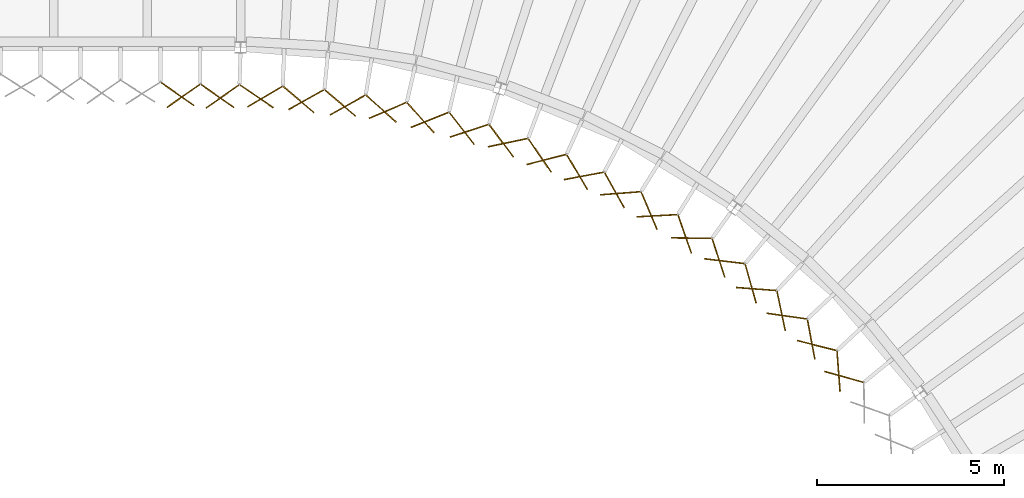
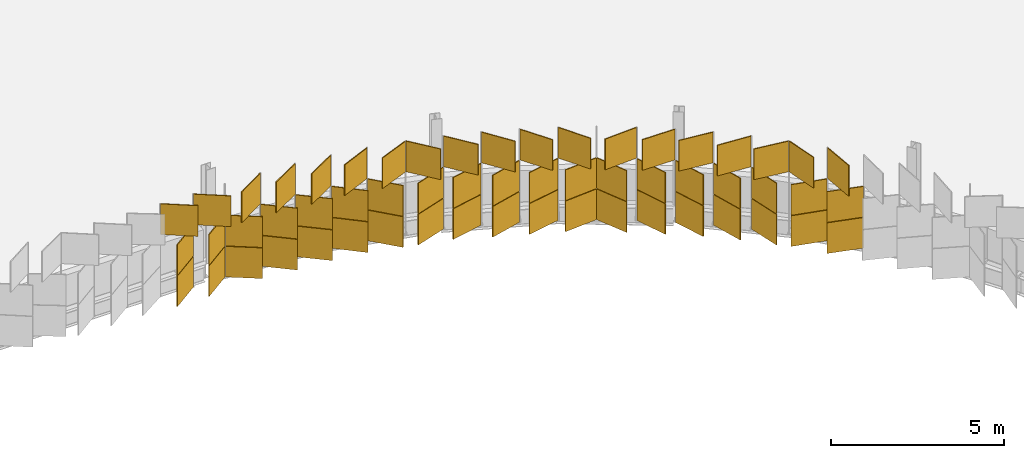
# One storey, part 192 of 198: 57 coverings.
"""IFC4 building model written with IfcOpenShell, lengths in metres."""

import ifcopenshell
import ifcopenshell.guid

model = None  # the IFC model being written
_history = None  # IfcOwnerHistory: only IFC2X3 demands one
_inside = {}  # id of a spatial element -> (the spatial element, [elements in it])
_under = {}  # id of a project, library or spatial element -> (it, [spatial elements below it])
_declared = {}  # id of a project -> (the project, [libraries it declares])
_typed = {}  # id of a type object -> (the type object, [elements of that type])
_made_of = {}  # id of a material, layer set ... -> (it, [elements and type objects made of it])


def new_model(schema):
    """Start an empty IFC model of exactly this schema.

    Asked for "IFC4X3", IfcOpenShell would pick the latest addendum, in which some entities
    have other attributes; the version numbers below select the first issue.
    IFC2X3 requires an IfcOwnerHistory on every rooted entity: one is made here for all.
    """
    global model, _history
    if schema == "IFC4X3":
        model = ifcopenshell.file(schema_version=(4, 3, 0, 0))
    else:
        model = ifcopenshell.file(schema=schema)
    _inside.clear()
    _under.clear()
    _declared.clear()
    _typed.clear()
    _made_of.clear()
    _history = None
    if model.schema == "IFC2X3":
        org = make("IfcOrganization", Name="unknown")
        user = make(
            "IfcPersonAndOrganization",
            ThePerson=make("IfcPerson", FamilyName="unknown"),
            TheOrganization=org,
        )
        app = make(
            "IfcApplication",
            ApplicationDeveloper=org,
            Version="unknown",
            ApplicationFullName="unknown",
            ApplicationIdentifier="unknown",
        )
        _history = make(
            "IfcOwnerHistory",
            OwningUser=user,
            OwningApplication=app,
            ChangeAction="ADDED",
            CreationDate=0,
        )
    return model


def make(cls, **values):
    """One entity of the class cls with the attributes given. An attribute that is None is left unset."""
    return model.create_entity(
        cls, **{name: value for name, value in values.items() if value is not None}
    )


def rooted(cls, **values):
    """An entity with a GlobalId (a new one), such as an element, a storey or a relation."""
    return make(cls, GlobalId=ifcopenshell.guid.new(), OwnerHistory=_history, **values)


def si_unit(unit_type, name, prefix=None):
    """IfcSIUnit, for example si_unit("LENGTHUNIT", "METRE", prefix="MILLI")."""
    return make("IfcSIUnit", UnitType=unit_type, Prefix=prefix, Name=name)


def assignment(units):
    """IfcUnitAssignment: the units of a project."""
    return None if units is None else make("IfcUnitAssignment", Units=units)


def point(xyz):
    """IfcCartesianPoint."""
    return None if xyz is None else make("IfcCartesianPoint", Coordinates=xyz)


def direction(xyz):
    """IfcDirection."""
    return None if xyz is None else make("IfcDirection", DirectionRatios=xyz)


def frame(location, z_axis=None, x_axis=None):
    """IfcAxis2Placement3D, a coordinate frame: its origin and axes. An axis left out is left unset."""
    return make(
        "IfcAxis2Placement3D",
        Location=point(location),
        Axis=direction(z_axis),
        RefDirection=direction(x_axis),
    )


def frame_2d(location, x_axis=None):
    """IfcAxis2Placement2D, a coordinate frame in the plane: its origin and x axis."""
    return make(
        "IfcAxis2Placement2D", Location=point(location), RefDirection=direction(x_axis)
    )


def origin():
    """The frame at (0, 0, 0) with its axes left unset."""
    return frame((0.0, 0.0, 0.0))


def origin_2d():
    """The frame at (0, 0) in the plane with its x axis left unset."""
    return frame_2d((0.0, 0.0))


def place(relative_to, where):
    """IfcLocalPlacement: puts the frame where relative to a parent placement (None: the world)."""
    return make(
        "IfcLocalPlacement", PlacementRelTo=relative_to, RelativePlacement=where
    )


def context(
    kind, dimensions, precision=None, world=None, true_north=None, identifier=None
):
    """IfcGeometricRepresentationContext, for example the 3D "Model" context."""
    return make(
        "IfcGeometricRepresentationContext",
        ContextIdentifier=identifier,
        ContextType=kind,
        CoordinateSpaceDimension=dimensions,
        Precision=precision,
        WorldCoordinateSystem=world,
        TrueNorth=true_north,
    )


def subcontext(parent, identifier, kind, view, scale=None):
    """IfcGeometricRepresentationSubContext, for example "Body" below "Model"."""
    return make(
        "IfcGeometricRepresentationSubContext",
        ContextIdentifier=identifier,
        ContextType=kind,
        ParentContext=parent,
        TargetScale=scale,
        TargetView=view,
    )


def project(units=None, contexts=None):
    """IfcProject with its units and contexts."""
    return rooted(
        "IfcProject",
        Name="project",
        RepresentationContexts=contexts,
        UnitsInContext=assignment(units),
    )


def spatial(cls, under=None, at=None, **own):
    """A site, building, storey or space (cls), placed at a placement, below another one or the project."""
    s = rooted(cls, ObjectPlacement=at, **own)
    if under is not None:
        _under.setdefault(under.id(), (under, []))[1].append(s)
    return s


def profile(cls, at=None, kind="AREA", **sizes):
    """A parametric profile (cls). Its sizes go by their IFC names, for example OverallWidth=200.0."""
    return make(cls, ProfileType=kind, Position=at, **sizes)


def rectangle(**sizes):
    """IfcRectangleProfileDef."""
    return profile("IfcRectangleProfileDef", **sizes)


def extrude(swept, where, along, depth):
    """IfcExtrudedAreaSolid: the profile swept, set in the frame where, extruded along a direction by depth."""
    return make(
        "IfcExtrudedAreaSolid",
        SweptArea=swept,
        Position=where,
        ExtrudedDirection=direction(along),
        Depth=depth,
    )


def shape(context_of_items, identifier, shape_type, items):
    """IfcShapeRepresentation: the items that make up one representation, for example the "Body"."""
    return make(
        "IfcShapeRepresentation",
        ContextOfItems=context_of_items,
        RepresentationIdentifier=identifier,
        RepresentationType=shape_type,
        Items=items,
    )


def material(Name=None, Category=None):
    """IfcMaterial."""
    return make("IfcMaterial", Name=Name, Category=Category)


def layer(
    of_material, thickness, ventilated=None, Name=None, Category=None, Priority=None
):
    """IfcMaterialLayer: one layer of a wall or slab, of a material (None: an air gap)."""
    return make(
        "IfcMaterialLayer",
        Material=of_material,
        LayerThickness=thickness,
        IsVentilated=ventilated,
        Name=Name,
        Category=Category,
        Priority=Priority,
    )


def layer_set(layers, Name=None):
    """IfcMaterialLayerSet."""
    return make("IfcMaterialLayerSet", MaterialLayers=layers, LayerSetName=Name)


def made_of(thing, what):
    """Note that an element or type object is made of a material, layer set ...; save() writes the relation."""
    if what is not None:
        _made_of.setdefault(what.id(), (what, []))[1].append(thing)
    return thing


def type_object(cls, material=None, **own):
    """A type object (cls), such as IfcWallType, which elements share."""
    return made_of(rooted(cls, **own), material)


def element(
    cls,
    number,
    at=None,
    inside=None,
    cuts=None,
    type_object=None,
    material=None,
    context=None,
    identifier="Body",
    shape_type=None,
    held_by="IfcProductDefinitionShape",
    body=None,
    shapes=None,
    **own,
):
    """One element of the class cls, such as IfcWall. Its Tag is "e" and its number.

    at: its placement. inside: the storey or other place that contains it. cuts: it is an
    opening in that element (IfcRelVoidsElement). A single representation is given by context,
    identifier, shape_type and body (its items); several are given by shapes. held_by: the class
    of the entity that holds the representations. save() writes the other relations.
    """
    e = rooted(cls, Tag="e%d" % number, ObjectPlacement=at, **own)
    if body is not None:
        shapes = [shape(context, identifier, shape_type, body)]
    if shapes is not None:
        e.Representation = make(held_by, Representations=shapes)
    if inside is not None:
        _inside.setdefault(inside.id(), (inside, []))[1].append(e)
    if cuts is not None:
        rooted(
            "IfcRelVoidsElement", RelatingBuildingElement=cuts, RelatedOpeningElement=e
        )
    if type_object is not None:
        _typed.setdefault(type_object.id(), (type_object, []))[1].append(e)
    return made_of(e, material)


def aggregate(whole, parts):
    """IfcRelAggregates: a whole, such as a stair, and the parts it consists of."""
    return rooted("IfcRelAggregates", RelatingObject=whole, RelatedObjects=parts)


def save(model, path):
    """Write the relations noted so far, then the file.

    IfcRelAggregates (storeys below a building ...), IfcRelContainedInSpatialStructure (elements
    in a storey), IfcRelDefinesByType, IfcRelAssociatesMaterial and IfcRelDeclares: one each for
    every whole, place, type object, material and project.
    """
    for whole, parts in _under.values():
        aggregate(whole, parts)
    for where, things in _inside.values():
        rooted(
            "IfcRelContainedInSpatialStructure",
            RelatedElements=things,
            RelatingStructure=where,
        )
    for kind, things in _typed.values():
        rooted("IfcRelDefinesByType", RelatedObjects=things, RelatingType=kind)
    for what, things in _made_of.values():
        rooted("IfcRelAssociatesMaterial", RelatedObjects=things, RelatingMaterial=what)
    for by, libraries in _declared.values():
        rooted("IfcRelDeclares", RelatingContext=by, RelatedDefinitions=libraries)
    model.write(path)


model = new_model("IFC4")

# Units and contexts
model_context = context("Model", 3, precision=1e-05, world=origin(), true_north=direction((0.0, 1.0)))
body_context = subcontext(model_context, "Body", "Model", "MODEL_VIEW")
ifc_project = project(units=[si_unit("LENGTHUNIT", "METRE"), si_unit("AREAUNIT", "SQUARE_METRE"), si_unit("VOLUMEUNIT", "CUBIC_METRE"), si_unit("PLANEANGLEUNIT", "RADIAN"), si_unit("MASSUNIT", "GRAM", prefix="KILO")], contexts=[model_context])

# Site, building, storey
site_placement = place(None, origin())
site = spatial("IfcSite", under=ifc_project, at=site_placement, CompositionType="ELEMENT")
building_placement = place(site_placement, origin())
building = spatial("IfcBuilding", under=site, at=building_placement, Name="Parallax Yard Mobility Hub", CompositionType="ELEMENT")
storey_placement = place(building_placement, frame((0.0, 0.0, 6.60009765625)))
storey = spatial("IfcBuildingStorey", under=building, at=storey_placement, Name="L02", CompositionType="ELEMENT", Elevation=6.60009765625)

# Coverings
ifc_material_1 = material(Name="Aluminium panel, champagne finish", Category="aluminium")
ifc_layer_1 = layer(ifc_material_1, 0.030029296875)
ifc_layer_set_1 = layer_set([ifc_layer_1], Name="Skin panel 32.5 degree turn, champagne finish")
covering_type_1 = type_object("IfcCoveringType", Name="Skin panel 32.5 degree turn, champagne finish", PredefinedType="CLADDING", material=ifc_layer_set_1)
for number, where, z_axis, x_axis, name in (
    (1, (172.931396484375, 111.186279296875, 1.119873046875), (0.0, 0.0, 1.0), (0.825359933085, -0.564606925974, 0.0), "Skin panel 32.5 bay 18.1 row 2 level L02"),
    (2, (173.15576171875, 111.178955078125, 2.219970703125), (0.0, 0.0, 1.0), (-0.860519833856, -0.509416936841, 0.0), "Skin panel 32.5 bay 18.1 row 3 level L02"),
    (3, (176.2685546875, 110.853759765625, 1.119873046875), (0.0, 0.0, 1.0), (0.744602872292, -0.66750772473, 0.0), "Skin panel 32.5 bay 18.4 row 2 level L02"),
    (4, (176.44140625, 110.8076171875, 2.219970703125), (0.0, 0.0, 1.0), (-0.919650220405, -0.392738427085, 0.0), "Skin panel 32.5 bay 18.4 row 3 level L02"),
    (5, (179.660400390625, 109.945068359375, 1.119873046875), (0.0, 0.0, 1.0), (-0.978598865501, -0.205777210692, 0.0), "Skin panel 32.5 bay 19.1 row 2 level L02"),
    (6, (179.48828125, 109.9912109375, 2.219970703125), (0.0, 0.0, 1.0), (0.600071239924, -0.7999465651, 0.0), "Skin panel 32.5 bay 19.1 row 3 level L02"),
    (7, (182.67578125, 108.588623046875, 1.119873046875), (0.0, 0.0, 1.0), (-0.997086132304, -0.076283974504, 0.0), "Skin panel 32.5 bay 19.4 row 2 level L02"),
    (8, (182.517822265625, 108.67138671875, 2.219970703125), (0.0, 0.0, 1.0), (0.490523568159, -0.87142792535, 0.0), "Skin panel 32.5 bay 19.4 row 3 level L02"),
    (9, (185.3076171875, 106.852783203125, 1.119873046875), (0.0, 0.0, 1.0), (0.311091140771, -0.950380082985, 0.0), "Skin panel 32.5 bay 20.1 row 2 level L02"),
    (10, (185.46728515625, 106.76904296875, 2.219970703125), (0.0, 0.0, 1.0), (-0.992809667009, 0.119703655305, 0.0), "Skin panel 32.5 bay 20.1 row 3 level L02"),
    (11, (187.9423828125, 104.5087890625, 1.119873046875), (0.0, 0.0, 1.0), (-0.968691580357, 0.248267239374, 0.0), "Skin panel 32.5 bay 20.4 row 2 level L02"),
    (12, (187.78955078125, 104.672119140625, 2.219970703125), (0.0, 0.0, 1.0), (0.184380219543, -0.982854991665, 0.0), "Skin panel 32.5 bay 20.4 row 3 level L02"),
):
    element("IfcCovering", number, at=place(storey_placement, frame(where, z_axis=z_axis, x_axis=x_axis)), inside=storey, type_object=covering_type_1, Name=name, ObjectType="SCREEN", PredefinedType="CLADDING", context=body_context, shape_type="SweptSolid", body=[
        extrude(rectangle(XDim=1.080078125, YDim=0.030029296875, at=origin_2d()), origin(), (0.0, 0.0, 1.0), 1.080078125),
    ])
ifc_material_2 = material(Name="Aluminium panel, light oak finish", Category="aluminium")
ifc_layer_2 = layer(ifc_material_2, 0.030029296875)
ifc_layer_set_2 = layer_set([ifc_layer_2], Name="Skin panel 32.5 degree turn, oak finish")
covering_type_2 = type_object("IfcCoveringType", Name="Skin panel 32.5 degree turn, oak finish", PredefinedType="CLADDING", material=ifc_layer_set_2)
for number, where, z_axis, x_axis, name in (
    (13, (172.931396484375, 111.186279296875, 0.019775390625), (0.0, 0.0, 1.0), (0.825359933085, -0.564606925974, 0.0), "Skin panel 32.5 bay 18.1 row 1 level L02"),
    (14, (176.2685546875, 110.853759765625, 0.019775390625), (0.0, 0.0, 1.0), (0.744602872292, -0.66750772473, 0.0), "Skin panel 32.5 bay 18.4 row 1 level L02"),
    (15, (179.660400390625, 109.945068359375, 0.019775390625), (0.0, 0.0, 1.0), (-0.978598865501, -0.205777210692, 0.0), "Skin panel 32.5 bay 19.1 row 1 level L02"),
    (16, (182.67578125, 108.588623046875, 0.019775390625), (0.0, 0.0, 1.0), (-0.997086132304, -0.076283974504, 0.0), "Skin panel 32.5 bay 19.4 row 1 level L02"),
    (17, (185.3076171875, 106.852783203125, 0.019775390625), (0.0, 0.0, 1.0), (0.311091140771, -0.950380082985, 0.0), "Skin panel 32.5 bay 20.1 row 1 level L02"),
    (18, (187.9423828125, 104.5087890625, 0.019775390625), (0.0, 0.0, 1.0), (-0.968691580357, 0.248267239374, 0.0), "Skin panel 32.5 bay 20.4 row 1 level L02"),
):
    element("IfcCovering", number, at=place(storey_placement, frame(where, z_axis=z_axis, x_axis=x_axis)), inside=storey, type_object=covering_type_2, Name=name, ObjectType="SCREEN", PredefinedType="CLADDING", context=body_context, shape_type="SweptSolid", body=[
        extrude(rectangle(XDim=1.080078125, YDim=0.030029296875, at=origin_2d()), origin(), (0.0, 0.0, 1.0), 1.080078125),
    ])
ifc_layer_3 = layer(ifc_material_1, 0.030029296875)
ifc_layer_set_3 = layer_set([ifc_layer_3], Name="Skin panel 35 degree turn, champagne finish")
covering_type_3 = type_object("IfcCoveringType", Name="Skin panel 35 degree turn, champagne finish", PredefinedType="CLADDING", material=ifc_layer_set_3)
for number, where, z_axis, x_axis, name in (
    (19, (170.968017578125, 111.197021484375, 1.119873046875), (0.0, 0.0, 1.0), (-0.819152044289, -0.573576436351, 0.0), "Skin panel 35 bay 17.6 row 2 level L02"),
    (20, (170.807861328125, 111.25048828125, 2.219970703125), (0.0, 0.0, 1.0), (0.819152044289, -0.573576436351, 0.0), "Skin panel 35 bay 17.6 row 3 level L02"),
    (21, (172.0166015625, 111.181396484375, 1.119873046875), (0.0, 0.0, 1.0), (-0.819152044289, -0.573576436351, 0.0), "Skin panel 35 bay 17.7 row 2 level L02"),
    (22, (171.87939453125, 111.197021484375, 2.219970703125), (0.0, 0.0, 1.0), (0.819152044289, -0.573576436351, 0.0), "Skin panel 35 bay 17.7 row 3 level L02"),
    (23, (174.056884765625, 111.10009765625, 1.119873046875), (0.0, 0.0, 1.0), (0.758987281247, -0.651105449912, 0.0), "Skin panel 35 bay 18.2 row 2 level L02"),
    (24, (174.2626953125, 111.09765625, 2.219970703125), (0.0, 0.0, 1.0), (-0.87142792535, -0.490523568159, 0.0), "Skin panel 35 bay 18.2 row 3 level L02"),
    (25, (175.169677734375, 111.00830078125, 1.119873046875), (0.0, 0.0, 1.0), (0.758987281247, -0.651105449912, 0.0), "Skin panel 35 bay 18.3 row 2 level L02"),
    (26, (175.36962890625, 110.9521484375, 2.219970703125), (0.0, 0.0, 1.0), (-0.87142792535, -0.490523568159, 0.0), "Skin panel 35 bay 18.3 row 3 level L02"),
    (27, (177.324462890625, 110.61181640625, 1.119873046875), (0.0, 0.0, 1.0), (0.66750772473, -0.744602872292, 0.0), "Skin panel 35 bay 18.5 row 2 level L02"),
    (28, (177.5693359375, 110.5546875, 2.219970703125), (0.0, 0.0, 1.0), (-0.927998912192, -0.372582902144, 0.0), "Skin panel 35 bay 18.5 row 3 level L02"),
    (29, (178.62548828125, 110.26318359375, 1.119873046875), (0.0, 0.0, 1.0), (-0.950380082985, -0.311091140771, 0.0), "Skin panel 35 bay 18.6 row 2 level L02"),
    (30, (178.42919921875, 110.32421875, 2.219970703125), (0.0, 0.0, 1.0), (0.617379181571, -0.786665714369, 0.0), "Skin panel 35 bay 18.6 row 3 level L02"),
    (31, (180.697021484375, 109.494384765625, 1.119873046875), (0.0, 0.0, 1.0), (-0.968691580357, -0.248267239374, 0.0), "Skin panel 35 bay 19.2 row 2 level L02"),
    (32, (180.51904296875, 109.600341796875, 2.219970703125), (0.0, 0.0, 1.0), (0.564606925974, -0.825359933085, 0.0), "Skin panel 35 bay 19.2 row 3 level L02"),
    (33, (181.6982421875, 109.053466796875, 1.119873046875), (0.0, 0.0, 1.0), (-0.982854991665, -0.184380219543, 0.0), "Skin panel 35 bay 19.3 row 2 level L02"),
    (34, (181.519287109375, 109.15380859375, 2.219970703125), (0.0, 0.0, 1.0), (0.509416936841, -0.860519833856, 0.0), "Skin panel 35 bay 19.3 row 3 level L02"),
    (35, (183.448974609375, 108.119384765625, 1.119873046875), (0.0, 0.0, 1.0), (0.392738427085, -0.919650220405, 0.0), "Skin panel 35 bay 19.5 row 2 level L02"),
    (36, (183.661865234375, 107.987060546875, 2.219970703125), (0.0, 0.0, 1.0), (-0.99851297894, -0.054514501638, 0.0), "Skin panel 35 bay 19.5 row 3 level L02"),
    (37, (184.402099609375, 107.492431640625, 1.119873046875), (0.0, 0.0, 1.0), (0.331749541753, -0.94336750079, 0.0), "Skin panel 35 bay 19.6 row 2 level L02"),
    (38, (184.578369140625, 107.3876953125, 2.219970703125), (0.0, 0.0, 1.0), (-0.999940505, 0.010908091494, 0.0), "Skin panel 35 bay 19.6 row 3 level L02"),
    (39, (186.169677734375, 106.16650390625, 1.119873046875), (0.0, 0.0, 1.0), (0.269340053953, -0.963045136708, 0.0), "Skin panel 35 bay 20.2 row 2 level L02"),
    (40, (186.31640625, 106.0234375, 2.219970703125), (0.0, 0.0, 1.0), (-0.997086132304, 0.076283974504, 0.0), "Skin panel 35 bay 20.2 row 3 level L02"),
    (41, (186.985595703125, 105.4365234375, 1.119873046875), (0.0, 0.0, 1.0), (0.205777210692, -0.978598865501, 0.0), "Skin panel 35 bay 20.3 row 2 level L02"),
    (42, (187.135986328125, 105.297607421875, 2.219970703125), (0.0, 0.0, 1.0), (-0.989962083715, 0.141333197824, 0.0), "Skin panel 35 bay 20.3 row 3 level L02"),
    (43, (188.666748046875, 103.669189453125, 1.119873046875), (0.0, 0.0, 1.0), (-0.963045136708, 0.269340053953, 0.0), "Skin panel 35 bay 20.5 row 2 level L02"),
    (44, (188.523681640625, 103.816162109375, 2.219970703125), (0.0, 0.0, 1.0), (0.076283974504, -0.997086132304, 0.0), "Skin panel 35 bay 20.5 row 3 level L02"),
):
    element("IfcCovering", number, at=place(storey_placement, frame(where, z_axis=z_axis, x_axis=x_axis)), inside=storey, type_object=covering_type_3, Name=name, ObjectType="SCREEN", PredefinedType="CLADDING", context=body_context, shape_type="SweptSolid", body=[
        extrude(rectangle(XDim=1.080078125, YDim=0.030029296875, at=origin_2d()), origin(), (0.0, 0.0, 1.0), 1.080078125),
    ])
ifc_layer_4 = layer(ifc_material_2, 0.030029296875)
ifc_layer_set_4 = layer_set([ifc_layer_4], Name="Skin panel 35 degree turn, oak finish")
covering_type_4 = type_object("IfcCoveringType", Name="Skin panel 35 degree turn, oak finish", PredefinedType="CLADDING", material=ifc_layer_set_4)
for number, where, z_axis, x_axis, name in (
    (45, (170.968017578125, 111.197021484375, 0.019775390625), (0.0, 0.0, 1.0), (-0.819152044289, -0.573576436351, 0.0), "Skin panel 35 bay 17.6 row 1 level L02"),
    (46, (172.0166015625, 111.181396484375, 0.019775390625), (0.0, 0.0, 1.0), (-0.819152044289, -0.573576436351, 0.0), "Skin panel 35 bay 17.7 row 1 level L02"),
    (47, (174.056884765625, 111.10009765625, 0.019775390625), (0.0, 0.0, 1.0), (0.758987281247, -0.651105449912, 0.0), "Skin panel 35 bay 18.2 row 1 level L02"),
    (48, (175.169677734375, 111.00830078125, 0.019775390625), (0.0, 0.0, 1.0), (0.758987281247, -0.651105449912, 0.0), "Skin panel 35 bay 18.3 row 1 level L02"),
    (49, (177.324462890625, 110.61181640625, 0.019775390625), (0.0, 0.0, 1.0), (0.66750772473, -0.744602872292, 0.0), "Skin panel 35 bay 18.5 row 1 level L02"),
    (50, (178.62548828125, 110.26318359375, 0.019775390625), (0.0, 0.0, 1.0), (-0.950380082985, -0.311091140771, 0.0), "Skin panel 35 bay 18.6 row 1 level L02"),
    (51, (180.697021484375, 109.494384765625, 0.019775390625), (0.0, 0.0, 1.0), (-0.968691580357, -0.248267239374, 0.0), "Skin panel 35 bay 19.2 row 1 level L02"),
    (52, (181.6982421875, 109.053466796875, 0.019775390625), (0.0, 0.0, 1.0), (-0.982854991665, -0.184380219543, 0.0), "Skin panel 35 bay 19.3 row 1 level L02"),
    (53, (183.448974609375, 108.119384765625, 0.019775390625), (0.0, 0.0, 1.0), (0.392738427085, -0.919650220405, 0.0), "Skin panel 35 bay 19.5 row 1 level L02"),
    (54, (184.402099609375, 107.492431640625, 0.019775390625), (0.0, 0.0, 1.0), (0.331749541753, -0.94336750079, 0.0), "Skin panel 35 bay 19.6 row 1 level L02"),
    (55, (186.169677734375, 106.16650390625, 0.019775390625), (0.0, 0.0, 1.0), (0.269340053953, -0.963045136708, 0.0), "Skin panel 35 bay 20.2 row 1 level L02"),
    (56, (186.985595703125, 105.4365234375, 0.019775390625), (0.0, 0.0, 1.0), (0.205777210692, -0.978598865501, 0.0), "Skin panel 35 bay 20.3 row 1 level L02"),
    (57, (188.666748046875, 103.669189453125, 0.019775390625), (0.0, 0.0, 1.0), (-0.963045136708, 0.269340053953, 0.0), "Skin panel 35 bay 20.5 row 1 level L02"),
):
    element("IfcCovering", number, at=place(storey_placement, frame(where, z_axis=z_axis, x_axis=x_axis)), inside=storey, type_object=covering_type_4, Name=name, ObjectType="SCREEN", PredefinedType="CLADDING", context=body_context, shape_type="SweptSolid", body=[
        extrude(rectangle(XDim=1.080078125, YDim=0.030029296875, at=origin_2d()), origin(), (0.0, 0.0, 1.0), 1.080078125),
    ])

save(model, "model.ifc")
